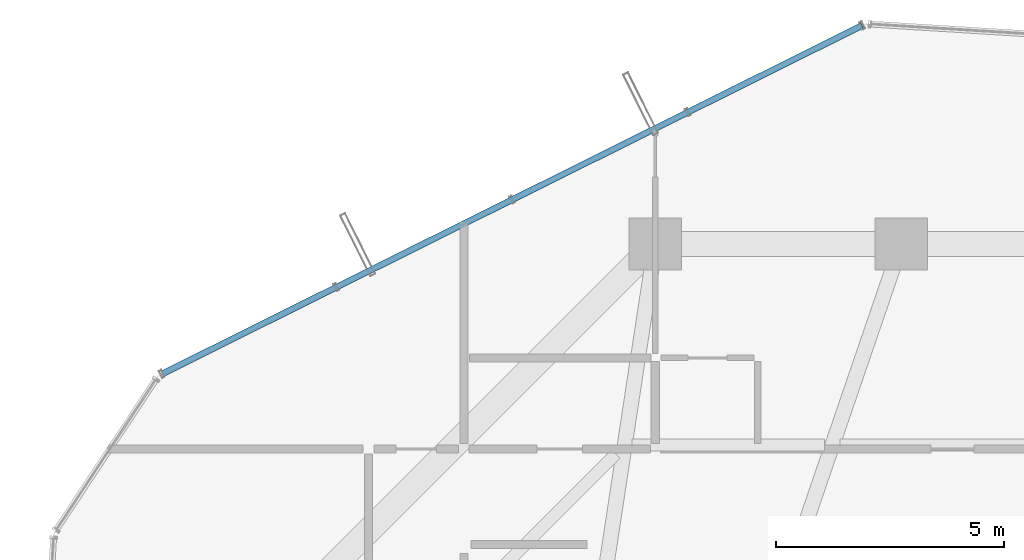
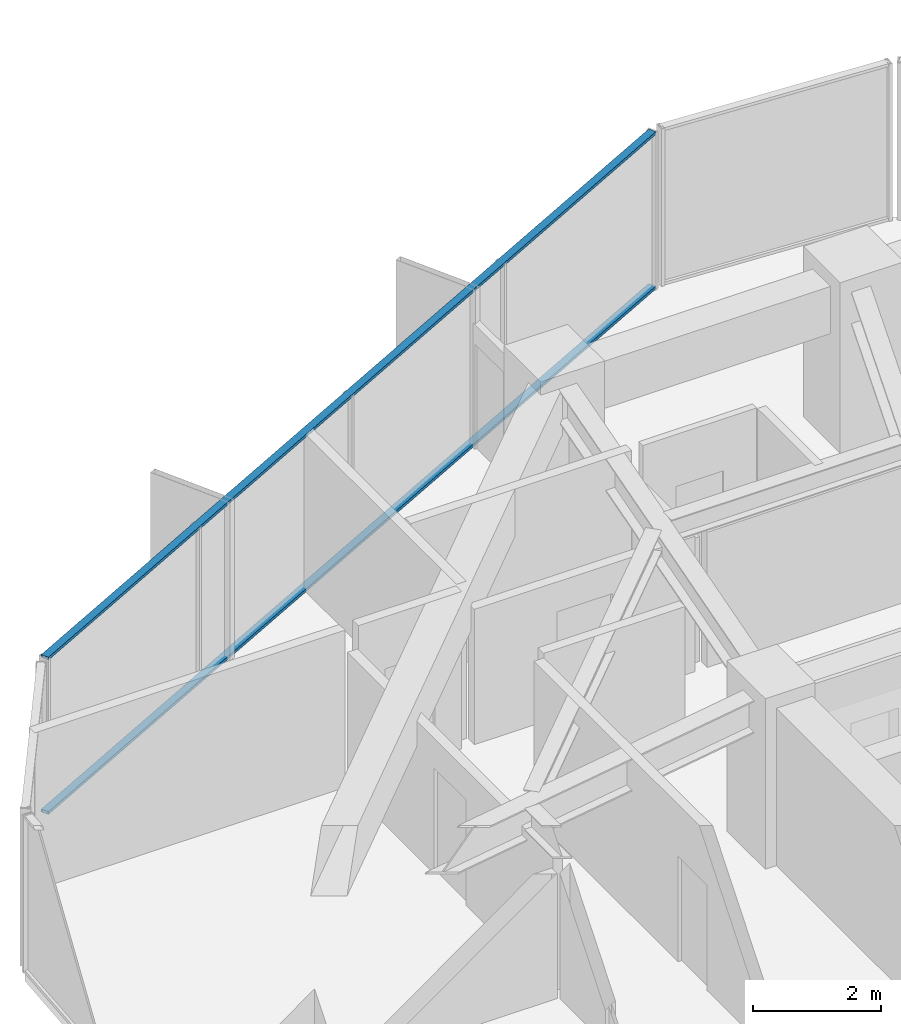
# One storey, part 18 of 30: 2 members, 1 element without a shape of its own.
"""IFC4 building model written with IfcOpenShell, lengths in metres."""

from ifc_helpers import new_model, si_unit, direction, frame, origin, origin_2d, place, context, subcontext, project, spatial, hollow_rectangle, extrude, source, transform, mapped, material, layer, layer_set, material_profile, profile_set, type_object, element, aggregate, save


model = new_model("IFC4")

# Units and contexts
model_context = context("Model", 3, precision=1e-05, world=origin(), true_north=direction((0.0, 1.0)))
body_context = subcontext(model_context, "Body", "Model", "MODEL_VIEW")
ifc_project = project(units=[si_unit("LENGTHUNIT", "METRE"), si_unit("AREAUNIT", "SQUARE_METRE"), si_unit("VOLUMEUNIT", "CUBIC_METRE"), si_unit("PLANEANGLEUNIT", "RADIAN"), si_unit("MASSUNIT", "GRAM", prefix="KILO")], contexts=[model_context])

# Site, building, storey
site_placement = place(None, origin())
site = spatial("IfcSite", under=ifc_project, at=site_placement, CompositionType="ELEMENT")
building_placement = place(site_placement, origin())
building = spatial("IfcBuilding", under=site, at=building_placement, Name="Veraguas Prism Commons", CompositionType="ELEMENT")
storey_placement = place(building_placement, frame((0.0, 0.0, 116.5)))
storey = spatial("IfcBuildingStorey", under=building, at=storey_placement, Name="L32", CompositionType="ELEMENT", Elevation=116.5)

# Curtain wall, members
ifc_material = material(Name="Anodised aluminium EN AW-6063 T6", Category="aluminium")
ifc_layer = layer(ifc_material, 0.169921875, Name="Unitised Flush Curtain Wall Zone 2", Category="aluminium")
ifc_layer_set = layer_set([ifc_layer], Name="Anodised aluminium EN AW-6063 T6")
curtain_wall_type = type_object("IfcCurtainWallType", Name="Unitised Flush Curtain Wall Zone 2", PredefinedType="NOTDEFINED", material=ifc_layer_set)
curtain_wall_placement = place(storey_placement, origin())
curtain_wall = element("IfcCurtainWall", 1, at=curtain_wall_placement, inside=storey, type_object=curtain_wall_type, Name="Tower Facade Curtain Wall L32-F2", PredefinedType="NOTDEFINED")
ifc_material_profile = material_profile(ifc_material, hollow_rectangle(XDim=0.054931640625, YDim=0.135009765625, WallThickness=0.0029296875, at=origin_2d()), Name="AL55X135X3")
ifc_profile_set = profile_set([ifc_material_profile], Name="Anodised aluminium EN AW-6063 T6")
member_type = type_object("IfcMemberType", Name="Curtain Wall Transom Standard AL 55x135x3", PredefinedType="USERDEFINED", material=ifc_profile_set)
shared_shape = source(origin(), body_context, "Body", "SweptSolid", [
    extrude(hollow_rectangle(XDim=0.054931640625, YDim=0.135009765625, WallThickness=0.0029296875, at=origin_2d()), origin(), (0.0, 0.0, 1.0), 17.17431640625),
])
member_1_placement = place(storey_placement, frame((23.140380859375, 44.999267578125, 0.027587890625), z_axis=(-0.895241664755, -0.44558092608, 0.0), x_axis=(0.0, 0.0, 1.0)))
member_1 = element("IfcMember", 2, at=member_1_placement, type_object=member_type, Name="CW-Z2 Transom 1", ObjectType="TRANSOM", PredefinedType="USERDEFINED", context=body_context, shape_type="MappedRepresentation", body=[
    mapped(shared_shape, transform((0.0, 0.0, 0.0), scale=1.0)),
])
member_2_placement = place(storey_placement, frame((23.140380859375, 44.999267578125, 2.972412109375), z_axis=(-0.895241664755, -0.44558092608, 0.0), x_axis=(0.0, 0.0, 1.0)))
member_2 = element("IfcMember", 3, at=member_2_placement, type_object=member_type, Name="CW-Z2 Transom 2", ObjectType="TRANSOM", PredefinedType="USERDEFINED", context=body_context, shape_type="MappedRepresentation", body=[
    mapped(shared_shape, transform((0.0, 0.0, 0.0), scale=1.0)),
])
aggregate(curtain_wall, [member_1, member_2])

save(model, "model.ifc")
